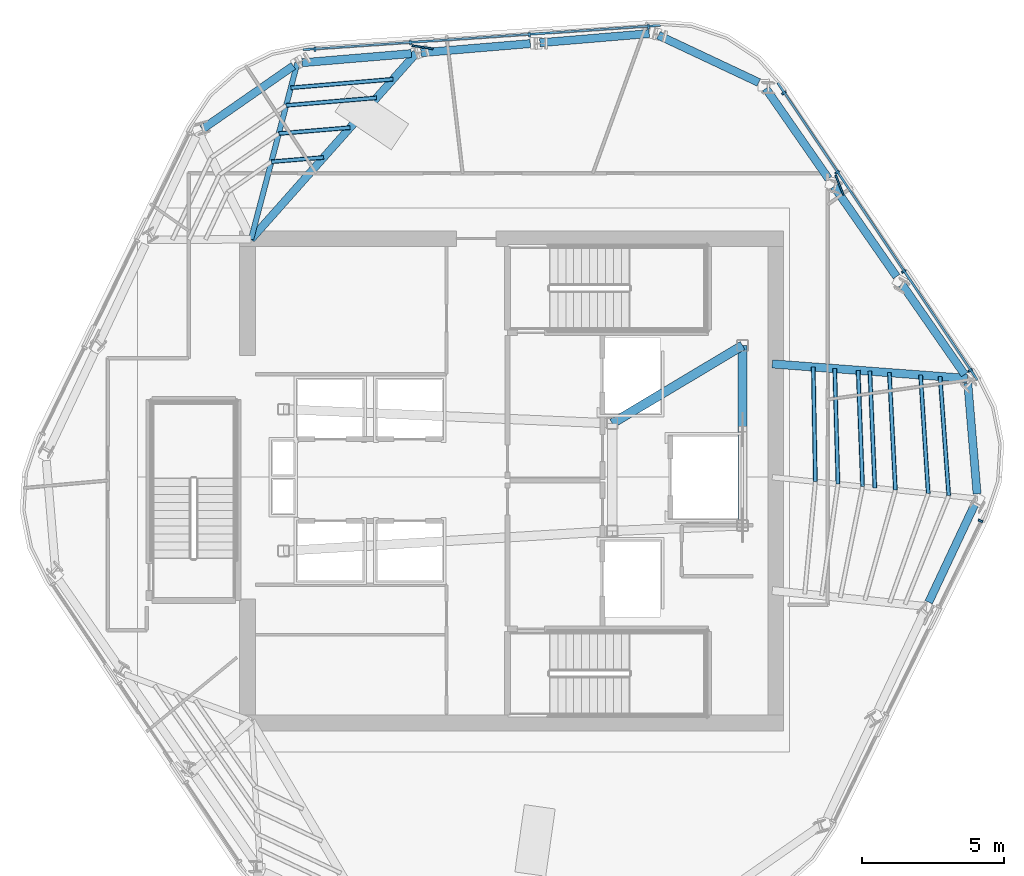
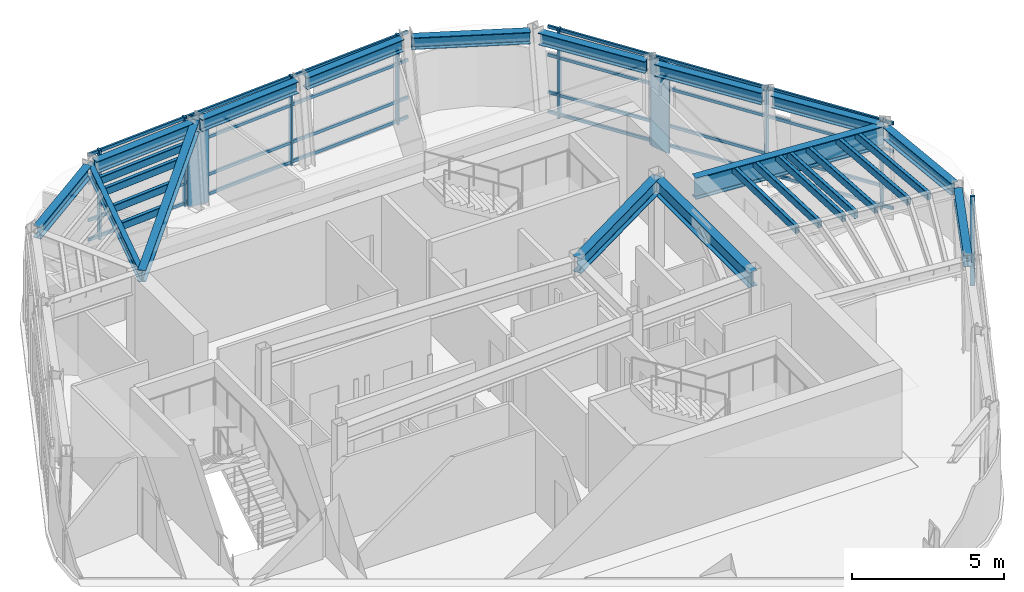
# One storey, part 4 of 14: 30 members, 15 beams, 3 elements without a shape of their own.
"""IFC4 building model written with IfcOpenShell, lengths in metres."""

from ifc_helpers import new_model, si_unit, direction, frame, origin, origin_2d, place, context, subcontext, project, spatial, rectangle, hollow_rectangle, i_section, extrude, material, layer, layer_set, material_profile, profile_set, type_object, element, aggregate, save


model = new_model("IFC4")

# Units and contexts
model_context = context("Model", 3, precision=1e-05, world=origin(), true_north=direction((0.0, 1.0)))
body_context = subcontext(model_context, "Body", "Model", "MODEL_VIEW")
ifc_project = project(units=[si_unit("LENGTHUNIT", "METRE"), si_unit("AREAUNIT", "SQUARE_METRE"), si_unit("VOLUMEUNIT", "CUBIC_METRE"), si_unit("PLANEANGLEUNIT", "RADIAN"), si_unit("MASSUNIT", "GRAM", prefix="KILO")], contexts=[model_context])

# Site, building, storey
site_placement = place(None, origin())
site = spatial("IfcSite", under=ifc_project, at=site_placement, CompositionType="ELEMENT")
building_placement = place(site_placement, origin())
building = spatial("IfcBuilding", under=site, at=building_placement, Name="Valkerne Bourse Tower", CompositionType="ELEMENT")
storey_placement = place(building_placement, frame((0.0, 0.0, 300.199951171875)))
storey = spatial("IfcBuildingStorey", under=building, at=storey_placement, Name="L76", CompositionType="ELEMENT", Elevation=300.199951171875)

# Beams
ifc_material_1 = material(Name="Steel ASTM A992", Category="steel")
ifc_material_profile_1 = material_profile(ifc_material_1, i_section(OverallWidth=0.284423828125, OverallDepth=0.47509765625, WebThickness=0.014892578125, FlangeThickness=0.02392578125, FilletRadius=0.017822265625, at=origin_2d()), Name="W18X106")
ifc_profile_set_1 = profile_set([ifc_material_profile_1], Name="Steel ASTM A992")
beam_type_1 = type_object("IfcBeamType", Name="BM-W18X106", PredefinedType="BEAM", material=ifc_profile_set_1)
for number, where, z_axis, x_axis, name in (
    (1, (51.654541015625, 42.659912109375, 3.362548828125), (-0.996493379522, -0.083671647344, 0.0), (0.083671647344, -0.996493379522, 0.0), "L76 Hexagonal Spandrel Ring Beam 00"),
    (2, (47.45751953125, 42.3076171875, 3.362548828125), (-0.996488120314, -0.083734258655, 0.0), (0.083734258655, -0.996488120314, 0.0), "L76 Hexagonal Spandrel Ring Beam 01"),
    (3, (43.26025390625, 41.955078125, 3.362548828125), (-0.996493379522, -0.083671647344, 0.0), (0.083671647344, -0.996493379522, 0.0), "L76 Hexagonal Spandrel Ring Beam 02"),
):
    element("IfcBeam", number, at=place(storey_placement, frame(where, z_axis=z_axis, x_axis=x_axis)), inside=storey, type_object=beam_type_1, Name=name, PredefinedType="BEAM", context=body_context, shape_type="SweptSolid", body=[
        extrude(i_section(OverallWidth=0.284423828125, OverallDepth=0.47509765625, WebThickness=0.014892578125, FlangeThickness=0.02392578125, FilletRadius=0.017822265625, at=origin_2d()), origin(), (0.0, 0.0, 1.0), 3.8720703125),
    ])
beam_1_placement = place(storey_placement, frame((39.0927734375, 41.519775390625, 3.362548828125), z_axis=(-0.821131339771, -0.570739277469, 0.0), x_axis=(0.570739277469, -0.821131339771, 0.0)))
element("IfcBeam", 4, at=beam_1_placement, inside=storey, type_object=beam_type_1, Name="L76 Hexagonal Spandrel Ring Beam 03", PredefinedType="BEAM", context=body_context, shape_type="SweptSolid", body=[
    extrude(i_section(OverallWidth=0.284423828125, OverallDepth=0.47509765625, WebThickness=0.014892578125, FlangeThickness=0.02392578125, FilletRadius=0.017822265625, at=origin_2d()), origin(), (0.0, 0.0, 1.0), 3.915771484375),
])
beam_2_placement = place(storey_placement, frame((61.521240234375, 22.588134765625, 3.362548828125), z_axis=(0.425800072897, 0.904817273222, 0.0), x_axis=(-0.904817273222, 0.425800072897, 0.0)))
element("IfcBeam", 5, at=beam_2_placement, inside=storey, type_object=beam_type_1, Name="L76 Hexagonal Spandrel Ring Beam 18", PredefinedType="BEAM", context=body_context, shape_type="SweptSolid", body=[
    extrude(i_section(OverallWidth=0.284423828125, OverallDepth=0.47509765625, WebThickness=0.014892578125, FlangeThickness=0.02392578125, FilletRadius=0.017822265625, at=origin_2d()), origin(), (0.0, 0.0, 1.0), 3.8720703125),
])
beam_3_placement = place(storey_placement, frame((63.22802734375, 26.414794921875, 3.362548828125), z_axis=(-0.083674993012, 0.996493098594, 0.0), x_axis=(-0.996493098594, -0.083674993012, 0.0)))
element("IfcBeam", 6, at=beam_3_placement, inside=storey, type_object=beam_type_1, Name="L76 Hexagonal Spandrel Ring Beam 19", PredefinedType="BEAM", context=body_context, shape_type="SweptSolid", body=[
    extrude(i_section(OverallWidth=0.284423828125, OverallDepth=0.47509765625, WebThickness=0.014892578125, FlangeThickness=0.02392578125, FilletRadius=0.017822265625, at=origin_2d()), origin(), (0.0, 0.0, 1.0), 3.91552734375),
])
for number, where, z_axis, x_axis, name in (
    (7, (62.789306640625, 30.625732421875, 3.362548828125), (-0.570746695472, 0.821126183731, 0.0), (-0.821126183731, -0.570746695472, 0.0), "L76 Hexagonal Spandrel Ring Beam 20"),
    (8, (60.385498046875, 34.08447265625, 3.362548828125), (-0.570746695472, 0.821126183731, 0.0), (-0.821126183731, -0.570746695472, 0.0), "L76 Hexagonal Spandrel Ring Beam 21"),
):
    element("IfcBeam", number, at=place(storey_placement, frame(where, z_axis=z_axis, x_axis=x_axis)), inside=storey, type_object=beam_type_1, Name=name, PredefinedType="BEAM", context=body_context, shape_type="SweptSolid", body=[
        extrude(i_section(OverallWidth=0.284423828125, OverallDepth=0.47509765625, WebThickness=0.014892578125, FlangeThickness=0.02392578125, FilletRadius=0.017822265625, at=origin_2d()), origin(), (0.0, 0.0, 1.0), 3.8720703125),
    ])
beam_4_placement = place(storey_placement, frame((57.9814453125, 37.543212890625, 3.362548828125), z_axis=(-0.570704180479, 0.821155733332, 0.0), x_axis=(-0.821155733332, -0.570704180479, 0.0)))
element("IfcBeam", 9, at=beam_4_placement, inside=storey, type_object=beam_type_1, Name="L76 Hexagonal Spandrel Ring Beam 22", PredefinedType="BEAM", context=body_context, shape_type="SweptSolid", body=[
    extrude(i_section(OverallWidth=0.284423828125, OverallDepth=0.47509765625, WebThickness=0.014892578125, FlangeThickness=0.02392578125, FilletRadius=0.017822265625, at=origin_2d()), origin(), (0.0, 0.0, 1.0), 3.871826171875),
])
beam_5_placement = place(storey_placement, frame((55.52099609375, 40.9345703125, 3.362548828125), z_axis=(-0.90483424406, 0.425764008316, 0.0), x_axis=(-0.425764008316, -0.90483424406, 0.0)))
element("IfcBeam", 10, at=beam_5_placement, inside=storey, type_object=beam_type_1, Name="L76 Hexagonal Spandrel Ring Beam 23", PredefinedType="BEAM", context=body_context, shape_type="SweptSolid", body=[
    extrude(i_section(OverallWidth=0.284423828125, OverallDepth=0.47509765625, WebThickness=0.014892578125, FlangeThickness=0.02392578125, FilletRadius=0.017822265625, at=origin_2d()), origin(), (0.0, 0.0, 1.0), 3.915771484375),
])
ifc_material_profile_2 = material_profile(ifc_material_1, i_section(OverallWidth=0.1904296875, OverallDepth=0.457275390625, WebThickness=0.009033203125, FlangeThickness=0.014404296875, FilletRadius=0.01513671875, at=origin_2d()), Name="W18X50")
ifc_profile_set_2 = profile_set([ifc_material_profile_2], Name="Steel ASTM A992")
beam_type_2 = type_object("IfcBeamType", Name="BM-W18X50", PredefinedType="JOIST", material=ifc_profile_set_2)
beam_6_placement = place(storey_placement, frame((39.232421875, 41.61669921875, 3.371337890625), z_axis=(-0.253958537488, -0.967215105981, 0.0), x_axis=(0.967215105981, -0.253958537488, 0.0)))
element("IfcBeam", 11, at=beam_6_placement, inside=storey, type_object=beam_type_2, Name="L76 Radial Composite Floor Beam 03", PredefinedType="JOIST", context=body_context, shape_type="SweptSolid", body=[
    extrude(i_section(OverallWidth=0.1904296875, OverallDepth=0.457275390625, WebThickness=0.009033203125, FlangeThickness=0.014404296875, FilletRadius=0.01513671875, at=origin_2d()), origin(), (0.0, 0.0, 1.0), 6.427490234375),
])
ifc_material_profile_3 = material_profile(ifc_material_1, i_section(OverallWidth=0.279296875, OverallDepth=0.46240234375, WebThickness=0.0107421875, FlangeThickness=0.017333984375, FilletRadius=0.017822265625, at=origin_2d()), Name="W18X76")
ifc_profile_set_3 = profile_set([ifc_material_profile_3], Name="Steel ASTM A992")
beam_type_3 = type_object("IfcBeamType", Name="BM-W18X76", PredefinedType="BEAM", material=ifc_profile_set_3)
beam_7_placement = place(storey_placement, frame((43.4296875, 41.96923828125, 3.368896484375), z_axis=(-0.663739034895, -0.747964232806, 0.0), x_axis=(0.747964232806, -0.663739034895, 0.0)))
element("IfcBeam", 12, at=beam_7_placement, inside=storey, type_object=beam_type_3, Name="L76 Radial Composite Floor Beam 02", PredefinedType="BEAM", context=body_context, shape_type="SweptSolid", body=[
    extrude(i_section(OverallWidth=0.279296875, OverallDepth=0.46240234375, WebThickness=0.0107421875, FlangeThickness=0.017333984375, FilletRadius=0.017822265625, at=origin_2d()), origin(), (0.0, 0.0, 1.0), 8.782958984375),
])
ifc_material_profile_4 = material_profile(ifc_material_1, i_section(OverallWidth=0.3251953125, OverallDepth=0.612060546875, WebThickness=0.0126953125, FlangeThickness=0.01904296875, FilletRadius=0.020263671875, at=origin_2d()), Name="W24X104")
ifc_profile_set_4 = profile_set([ifc_material_profile_4], Name="Steel ASTM A992")
beam_type_4 = type_object("IfcBeamType", Name="BM-W24X104", PredefinedType="BEAM", material=ifc_profile_set_4)
beam_8_placement = place(storey_placement, frame((50.35009765625, 28.89990234375, 3.2939453125), z_axis=(0.858307823492, 0.513135148019, 0.0), x_axis=(-0.513135148019, 0.858307823492, 0.0)))
element("IfcBeam", 13, at=beam_8_placement, inside=storey, type_object=beam_type_4, Name="L76 Core Frame Girder CG-NE", PredefinedType="BEAM", context=body_context, shape_type="SweptSolid", body=[
    extrude(i_section(OverallWidth=0.3251953125, OverallDepth=0.612060546875, WebThickness=0.0126953125, FlangeThickness=0.01904296875, FilletRadius=0.020263671875, at=origin_2d()), origin(), (0.0, 0.0, 1.0), 5.359130859375),
])
beam_9_placement = place(storey_placement, frame((54.949951171875, 25.300048828125, 3.2939453125), z_axis=(0.0, 1.0, 0.0), x_axis=(-1.0, 0.0, 0.0)))
element("IfcBeam", 14, at=beam_9_placement, inside=storey, type_object=beam_type_4, Name="L76 Core Frame Girder CG-EE", PredefinedType="BEAM", context=body_context, shape_type="SweptSolid", body=[
    extrude(i_section(OverallWidth=0.3251953125, OverallDepth=0.612060546875, WebThickness=0.0126953125, FlangeThickness=0.01904296875, FilletRadius=0.020263671875, at=origin_2d()), origin(), (0.0, 0.0, 1.0), 6.349853515625),
])
ifc_material_profile_5 = material_profile(ifc_material_1, i_section(OverallWidth=0.2919921875, OverallDepth=0.8583984375, WebThickness=0.01708984375, FlangeThickness=0.031005859375, FilletRadius=0.025390625, at=origin_2d()), Name="W33X169")
ifc_profile_set_5 = profile_set([ifc_material_profile_5], Name="Steel ASTM A992")
beam_type_5 = type_object("IfcBeamType", Name="BM-W33X169", PredefinedType="BEAM", material=ifc_profile_set_5)
beam_10_placement = place(storey_placement, frame((62.88623046875, 30.486083984375, 3.170654296875), z_axis=(-0.997226796798, 0.074422548651, 0.0), x_axis=(-0.074422548651, -0.997226796798, 0.0)))
element("IfcBeam", 15, at=beam_10_placement, inside=storey, type_object=beam_type_5, Name="L76 Radial Composite Floor Beam 20", PredefinedType="BEAM", context=body_context, shape_type="SweptSolid", body=[
    extrude(i_section(OverallWidth=0.2919921875, OverallDepth=0.8583984375, WebThickness=0.01708984375, FlangeThickness=0.031005859375, FilletRadius=0.025390625, at=origin_2d()), origin(), (0.0, 0.0, 1.0), 6.9052734375),
])

# Curtain wall, members
ifc_material_2 = material(Name="Aluminium AA 6063-T6", Category="aluminium")
ifc_layer = layer(ifc_material_2, 0.2451171875)
ifc_layer_set = layer_set([ifc_layer], Name="Aluminium AA 6063-T6")
curtain_wall_type = type_object("IfcCurtainWallType", Name="CW-05", PredefinedType="NOTDEFINED", material=ifc_layer_set)
curtain_wall_1_placement = place(storey_placement, origin())
curtain_wall_1 = element("IfcCurtainWall", 16, at=curtain_wall_1_placement, inside=storey, type_object=curtain_wall_type, Name="L76 Hexagonal Stick Curtain Wall Face 1", PredefinedType="NOTDEFINED")
ifc_material_profile_6 = material_profile(ifc_material_2, rectangle(XDim=0.074951171875, YDim=0.159912109375, at=origin_2d()), Name="CWM-75X160")
ifc_profile_set_6 = profile_set([ifc_material_profile_6], Name="Aluminium AA 6063-T6")
member_type_1 = type_object("IfcMemberType", Name="CW-MUL-160X75", PredefinedType="MULLION", material=ifc_profile_set_6)
member_1_placement = place(storey_placement, frame((51.62744140625, 42.90380859375, 0.0), z_axis=(0.0, 0.0, 1.0), x_axis=(-0.997683912396, -0.068020665584, 0.0)))
member_1 = element("IfcMember", 17, at=member_1_placement, type_object=member_type_1, Name="CW-L76-F1 Jamb Mullion 00A", PredefinedType="MULLION", context=body_context, shape_type="SweptSolid", body=[
    extrude(rectangle(XDim=0.074951171875, YDim=0.159912109375, at=origin_2d()), origin(), (0.0, 0.0, 1.0), 3.60009765625),
])
member_2_placement = place(storey_placement, frame((47.42529296875, 42.617431640625, 0.0), z_axis=(0.0, 0.0, 1.0), x_axis=(-0.997684022241, -0.068019054423, 0.0)))
member_2 = element("IfcMember", 18, at=member_2_placement, type_object=member_type_1, Name="CW-L76-F1 Jamb Mullion 01A", PredefinedType="MULLION", context=body_context, shape_type="SweptSolid", body=[
    extrude(rectangle(XDim=0.074951171875, YDim=0.159912109375, at=origin_2d()), origin(), (0.0, 0.0, 1.0), 3.60009765625),
])
member_3_placement = place(storey_placement, frame((43.222900390625, 42.330810546875, 0.0), z_axis=(0.0, 0.0, 1.0), x_axis=(-0.997683912396, -0.068020665584, 0.0)))
member_3 = element("IfcMember", 19, at=member_3_placement, type_object=member_type_1, Name="CW-L76-F1 Jamb Mullion 02A", PredefinedType="MULLION", context=body_context, shape_type="SweptSolid", body=[
    extrude(rectangle(XDim=0.074951171875, YDim=0.159912109375, at=origin_2d()), origin(), (0.0, 0.0, 1.0), 3.60009765625),
])
member_4_placement = place(storey_placement, frame((39.85888671875, 42.1015625, 0.0), z_axis=(0.0, 0.0, 1.0), x_axis=(-0.997683912396, -0.068020665584, 0.0)))
member_4 = element("IfcMember", 20, at=member_4_placement, type_object=member_type_1, Name="CW-L76-F1 Jamb Mullion 02B", PredefinedType="MULLION", context=body_context, shape_type="SweptSolid", body=[
    extrude(rectangle(XDim=0.074951171875, YDim=0.159912109375, at=origin_2d()), origin(), (0.0, 0.0, 1.0), 3.60009765625),
])

# Curtain wall, member
curtain_wall_2_placement = place(storey_placement, origin())
curtain_wall_2 = element("IfcCurtainWall", 21, at=curtain_wall_2_placement, inside=storey, type_object=curtain_wall_type, Name="L76 Hexagonal Stick Curtain Wall Face 5", PredefinedType="NOTDEFINED")
member_5_placement = place(storey_placement, frame((63.34912109375, 25.46044921875, 0.0), z_axis=(0.0, 0.0, 1.0), x_axis=(0.439933879731, 0.898030167347, 0.0)))
member_5 = element("IfcMember", 22, at=member_5_placement, type_object=member_type_1, Name="CW-L76-F5 Jamb Mullion 02B", PredefinedType="MULLION", context=body_context, shape_type="SweptSolid", body=[
    extrude(rectangle(XDim=0.074951171875, YDim=0.159912109375, at=origin_2d()), origin(), (0.0, 0.0, 1.0), 3.60009765625),
])
aggregate(curtain_wall_2, [member_5])

# Curtain wall, members
curtain_wall_3_placement = place(storey_placement, origin())
curtain_wall_3 = element("IfcCurtainWall", 23, at=curtain_wall_3_placement, inside=storey, type_object=curtain_wall_type, Name="L76 Hexagonal Stick Curtain Wall Face 6", PredefinedType="NOTDEFINED")
member_6_placement = place(storey_placement, frame((62.987060546875, 30.771240234375, 0.0), z_axis=(0.0, 0.0, 1.0), x_axis=(-0.557742736213, 0.830013879523, 0.0)))
member_6 = element("IfcMember", 24, at=member_6_placement, type_object=member_type_1, Name="CW-L76-F6 Jamb Mullion 00A", PredefinedType="MULLION", context=body_context, shape_type="SweptSolid", body=[
    extrude(rectangle(XDim=0.074951171875, YDim=0.159912109375, at=origin_2d()), origin(), (0.0, 0.0, 1.0), 3.60009765625),
])
member_7_placement = place(storey_placement, frame((60.6376953125, 34.26708984375, 0.0), z_axis=(0.0, 0.0, 1.0), x_axis=(-0.557759092161, 0.830002888617, 0.0)))
member_7 = element("IfcMember", 25, at=member_7_placement, type_object=member_type_1, Name="CW-L76-F6 Jamb Mullion 01A", PredefinedType="MULLION", context=body_context, shape_type="SweptSolid", body=[
    extrude(rectangle(XDim=0.074951171875, YDim=0.159912109375, at=origin_2d()), origin(), (0.0, 0.0, 1.0), 3.60009765625),
])
member_8_placement = place(storey_placement, frame((58.28857421875, 37.76318359375, 0.0), z_axis=(0.0, 0.0, 1.0), x_axis=(-0.557742736213, 0.830013879523, 0.0)))
member_8 = element("IfcMember", 26, at=member_8_placement, type_object=member_type_1, Name="CW-L76-F6 Jamb Mullion 02A", PredefinedType="MULLION", context=body_context, shape_type="SweptSolid", body=[
    extrude(rectangle(XDim=0.074951171875, YDim=0.159912109375, at=origin_2d()), origin(), (0.0, 0.0, 1.0), 3.60009765625),
])
member_9_placement = place(storey_placement, frame((56.40771484375, 40.56201171875, 0.0), z_axis=(0.0, 0.0, 1.0), x_axis=(-0.557742736213, 0.830013879523, 0.0)))
member_9 = element("IfcMember", 27, at=member_9_placement, type_object=member_type_1, Name="CW-L76-F6 Jamb Mullion 02B", PredefinedType="MULLION", context=body_context, shape_type="SweptSolid", body=[
    extrude(rectangle(XDim=0.074951171875, YDim=0.159912109375, at=origin_2d()), origin(), (0.0, 0.0, 1.0), 3.60009765625),
])

# Member
ifc_material_profile_7 = material_profile(ifc_material_2, rectangle(XDim=0.074951171875, YDim=0.1201171875, at=origin_2d()), Name="CWT-75X120")
ifc_profile_set_7 = profile_set([ifc_material_profile_7], Name="Aluminium AA 6063-T6")
member_type_2 = type_object("IfcMemberType", Name="CW-TRN-120X75", PredefinedType="USERDEFINED", material=ifc_profile_set_7)
member_10_placement = place(storey_placement, frame((52.045166015625, 42.952392578125, 0.1201171875), z_axis=(-0.997684616427, -0.068010338514, 0.0), x_axis=(0.068010338514, -0.997684616427, 0.0)))
member_10 = element("IfcMember", 28, at=member_10_placement, type_object=member_type_2, Name="CW-L76-F1 Continuous Face Transom 1", ObjectType="TRANSOM", PredefinedType="USERDEFINED", context=body_context, shape_type="SweptSolid", body=[
    extrude(rectangle(XDim=0.074951171875, YDim=0.1201171875, at=origin_2d()), origin(), (0.0, 0.0, 1.0), 12.635986328125),
])

member_11_placement = place(storey_placement, frame((52.045166015625, 42.952392578125, 0.900146484375), z_axis=(-0.997684616427, -0.068010338514, 0.0), x_axis=(0.068010338514, -0.997684616427, 0.0)))
member_11 = element("IfcMember", 29, at=member_11_placement, type_object=member_type_2, Name="CW-L76-F1 Continuous Face Transom 2", ObjectType="TRANSOM", PredefinedType="USERDEFINED", context=body_context, shape_type="SweptSolid", body=[
    extrude(rectangle(XDim=0.074951171875, YDim=0.1201171875, at=origin_2d()), origin(), (0.0, 0.0, 1.0), 12.635986328125),
])

member_12_placement = place(storey_placement, frame((52.045166015625, 42.952392578125, 2.400146484375), z_axis=(-0.997684616427, -0.068010338514, 0.0), x_axis=(0.068010338514, -0.997684616427, 0.0)))
member_12 = element("IfcMember", 30, at=member_12_placement, type_object=member_type_2, Name="CW-L76-F1 Continuous Face Transom 3", ObjectType="TRANSOM", PredefinedType="USERDEFINED", context=body_context, shape_type="SweptSolid", body=[
    extrude(rectangle(XDim=0.074951171875, YDim=0.1201171875, at=origin_2d()), origin(), (0.0, 0.0, 1.0), 12.635986328125),
])

member_13_placement = place(storey_placement, frame((52.045166015625, 42.952392578125, 3.52001953125), z_axis=(-0.997684616427, -0.068010338514, 0.0), x_axis=(0.068010338514, -0.997684616427, 0.0)))
member_13 = element("IfcMember", 31, at=member_13_placement, type_object=member_type_2, Name="CW-L76-F1 Continuous Face Transom 4", ObjectType="TRANSOM", PredefinedType="USERDEFINED", context=body_context, shape_type="SweptSolid", body=[
    extrude(rectangle(XDim=0.074951171875, YDim=0.1201171875, at=origin_2d()), origin(), (0.0, 0.0, 1.0), 12.635986328125),
])

aggregate(curtain_wall_1, [member_10, member_11, member_12, member_13, member_1, member_2, member_3, member_4])

member_14_placement = place(storey_placement, frame((63.23779296875, 30.433837890625, 0.1201171875), z_axis=(-0.557741781307, 0.830014521189, 0.0), x_axis=(-0.830014521189, -0.557741781307, 0.0)))
member_14 = element("IfcMember", 32, at=member_14_placement, type_object=member_type_2, Name="CW-L76-F6 Continuous Face Transom 1", ObjectType="TRANSOM", PredefinedType="USERDEFINED", context=body_context, shape_type="SweptSolid", body=[
    extrude(rectangle(XDim=0.074951171875, YDim=0.1201171875, at=origin_2d()), origin(), (0.0, 0.0, 1.0), 12.635986328125),
])

member_15_placement = place(storey_placement, frame((63.23779296875, 30.433837890625, 0.900146484375), z_axis=(-0.557741781307, 0.830014521189, 0.0), x_axis=(-0.830014521189, -0.557741781307, 0.0)))
member_15 = element("IfcMember", 33, at=member_15_placement, type_object=member_type_2, Name="CW-L76-F6 Continuous Face Transom 2", ObjectType="TRANSOM", PredefinedType="USERDEFINED", context=body_context, shape_type="SweptSolid", body=[
    extrude(rectangle(XDim=0.074951171875, YDim=0.1201171875, at=origin_2d()), origin(), (0.0, 0.0, 1.0), 12.635986328125),
])

member_16_placement = place(storey_placement, frame((63.23779296875, 30.433837890625, 2.400146484375), z_axis=(-0.557741781307, 0.830014521189, 0.0), x_axis=(-0.830014521189, -0.557741781307, 0.0)))
member_16 = element("IfcMember", 34, at=member_16_placement, type_object=member_type_2, Name="CW-L76-F6 Continuous Face Transom 3", ObjectType="TRANSOM", PredefinedType="USERDEFINED", context=body_context, shape_type="SweptSolid", body=[
    extrude(rectangle(XDim=0.074951171875, YDim=0.1201171875, at=origin_2d()), origin(), (0.0, 0.0, 1.0), 12.635986328125),
])

member_17_placement = place(storey_placement, frame((63.23779296875, 30.433837890625, 3.52001953125), z_axis=(-0.557741781307, 0.830014521189, 0.0), x_axis=(-0.830014521189, -0.557741781307, 0.0)))
member_17 = element("IfcMember", 35, at=member_17_placement, type_object=member_type_2, Name="CW-L76-F6 Continuous Face Transom 4", ObjectType="TRANSOM", PredefinedType="USERDEFINED", context=body_context, shape_type="SweptSolid", body=[
    extrude(rectangle(XDim=0.074951171875, YDim=0.1201171875, at=origin_2d()), origin(), (0.0, 0.0, 1.0), 12.635986328125),
])

aggregate(curtain_wall_3, [member_14, member_15, member_16, member_17, member_6, member_7, member_8, member_9])

# Members
ifc_material_3 = material(Name="Bronze Anodised Aluminium AA 6063-T6", Category="aluminium")
ifc_material_profile_8 = material_profile(ifc_material_3, rectangle(XDim=0.06494140625, YDim=0.75, at=origin_2d()), Name="FIN-65X750")
ifc_profile_set_8 = profile_set([ifc_material_profile_8], Name="Bronze Anodised Aluminium AA 6063-T6")
member_type_3 = type_object("IfcMemberType", Name="FIN-SOLAR-650", PredefinedType="USERDEFINED", material=ifc_profile_set_8)
for number, where, z_axis, x_axis, name in (
    (36, (43.654296875, 42.179931640625, 0.004150390625), (0.0, 0.0, 1.0), (0.147332540195, 0.989087014675, 0.0), "L76 Bronze Anodised Solar Fin F1-02"),
    (37, (58.373291015625, 37.314208984375, 0.004150390625), (0.0, 0.0, 1.0), (0.926921117713, 0.375256234509, 0.0), "L76 Bronze Anodised Solar Fin F6-02"),
):
    element("IfcMember", number, at=place(storey_placement, frame(where, z_axis=z_axis, x_axis=x_axis)), inside=storey, type_object=member_type_3, Name=name, ObjectType="SOLAR_FIN", PredefinedType="USERDEFINED", context=body_context, shape_type="SweptSolid", body=[
        extrude(rectangle(XDim=0.06494140625, YDim=0.75, at=origin_2d()), origin(), (0.0, 0.0, 1.0), 3.591796875),
    ])
ifc_material_4 = material(Name="Steel ASTM A500 Grade C", Category="steel")
ifc_material_profile_9 = material_profile(ifc_material_4, hollow_rectangle(XDim=0.14990234375, YDim=0.300048828125, WallThickness=0.012451171875, OuterFilletRadius=0.02490234375, at=origin_2d()), Name="HSS300X150X12.5")
ifc_profile_set_9 = profile_set([ifc_material_profile_9], Name="Steel ASTM A500 Grade C")
member_type_4 = type_object("IfcMemberType", Name="MBR-HSS300X150X12.5", PredefinedType="PURLIN", material=ifc_profile_set_9)
member_18_placement = place(storey_placement, frame((58.3173828125, 26.758544921875, 3.43994140625), z_axis=(-0.027893334242, 0.999610905255, 0.0), x_axis=(-0.999610905255, -0.027893334242, 0.0)))
element("IfcMember", 38, at=member_18_placement, inside=storey, type_object=member_type_4, Name="L76 Secondary Composite Floor Purlin I-19", PredefinedType="PURLIN", context=body_context, shape_type="SweptSolid", body=[
    extrude(hollow_rectangle(XDim=0.14990234375, YDim=0.300048828125, WallThickness=0.012451171875, OuterFilletRadius=0.02490234375, at=origin_2d()), origin(), (0.0, 0.0, 1.0), 4.078857421875),
])
member_19_placement = place(storey_placement, frame((40.1650390625, 38.290283203125, 3.43994140625), z_axis=(-0.996505665526, -0.083525197243, 0.0), x_axis=(0.083525197243, -0.996505665526, 0.0)))
element("IfcMember", 39, at=member_19_placement, inside=storey, type_object=member_type_4, Name="L76 Secondary Composite Floor Purlin K-02", PredefinedType="PURLIN", context=body_context, shape_type="SweptSolid", body=[
    extrude(hollow_rectangle(XDim=0.14990234375, YDim=0.300048828125, WallThickness=0.012451171875, OuterFilletRadius=0.02490234375, at=origin_2d()), origin(), (0.0, 0.0, 1.0), 1.853271484375),
])
member_20_placement = place(storey_placement, frame((59.1865234375, 26.66796875, 3.43994140625), z_axis=(-0.038145602749, 0.999272191643, 0.0), x_axis=(-0.999272191643, -0.038145602749, 0.0)))
element("IfcMember", 40, at=member_20_placement, inside=storey, type_object=member_type_4, Name="L76 Secondary Composite Floor Purlin K-19", PredefinedType="PURLIN", context=body_context, shape_type="SweptSolid", body=[
    extrude(hollow_rectangle(XDim=0.14990234375, YDim=0.300048828125, WallThickness=0.012451171875, OuterFilletRadius=0.02490234375, at=origin_2d()), origin(), (0.0, 0.0, 1.0), 4.10888671875),
])
member_21_placement = place(storey_placement, frame((59.62109375, 26.622802734375, 3.43994140625), z_axis=(-0.043154640453, 0.999068404569, 0.0), x_axis=(-0.999068404569, -0.043154640453, 0.0)))
element("IfcMember", 41, at=member_21_placement, inside=storey, type_object=member_type_4, Name="L76 Secondary Composite Floor Purlin M-19", PredefinedType="PURLIN", context=body_context, shape_type="SweptSolid", body=[
    extrude(hollow_rectangle(XDim=0.14990234375, YDim=0.300048828125, WallThickness=0.012451171875, OuterFilletRadius=0.02490234375, at=origin_2d()), origin(), (0.0, 0.0, 1.0), 4.124267578125),
])
member_22_placement = place(storey_placement, frame((42.030517578125, 40.392578125, 3.43994140625), z_axis=(-0.996494020859, -0.083664008946, 0.0), x_axis=(0.083664008946, -0.996494020859, 0.0)))
element("IfcMember", 42, at=member_22_placement, inside=storey, type_object=member_type_4, Name="L76 Secondary Composite Floor Purlin O-02", PredefinedType="PURLIN", context=body_context, shape_type="SweptSolid", body=[
    extrude(hollow_rectangle(XDim=0.14990234375, YDim=0.300048828125, WallThickness=0.012451171875, OuterFilletRadius=0.02490234375, at=origin_2d()), origin(), (0.0, 0.0, 1.0), 3.201171875),
])
member_23_placement = place(storey_placement, frame((61.504150390625, 26.426513671875, 3.43994140625), z_axis=(-0.064593708934, 0.997911645771, 0.0), x_axis=(-0.997911645771, -0.064593708934, 0.0)))
element("IfcMember", 43, at=member_23_placement, inside=storey, type_object=member_type_4, Name="L76 Secondary Composite Floor Purlin O-19", PredefinedType="PURLIN", context=body_context, shape_type="SweptSolid", body=[
    extrude(hollow_rectangle(XDim=0.14990234375, YDim=0.300048828125, WallThickness=0.012451171875, OuterFilletRadius=0.02490234375, at=origin_2d()), origin(), (0.0, 0.0, 1.0), 4.191650390625),
])
member_24_placement = place(storey_placement, frame((41.097900390625, 39.341552734375, 3.43994140625), z_axis=(-0.996494942873, -0.083653026418, 0.0), x_axis=(0.083653026418, -0.996494942873, 0.0)))
element("IfcMember", 44, at=member_24_placement, inside=storey, type_object=member_type_4, Name="L76 Secondary Composite Floor Purlin Z-02", PredefinedType="PURLIN", context=body_context, shape_type="SweptSolid", body=[
    extrude(hollow_rectangle(XDim=0.14990234375, YDim=0.300048828125, WallThickness=0.012451171875, OuterFilletRadius=0.02490234375, at=origin_2d()), origin(), (0.0, 0.0, 1.0), 2.52734375),
])
member_25_placement = place(storey_placement, frame((60.345458984375, 26.547119140625, 3.43994140625), z_axis=(-0.051533695837, 0.998671256317, 0.0), x_axis=(-0.998671256317, -0.051533695837, 0.0)))
element("IfcMember", 45, at=member_25_placement, inside=storey, type_object=member_type_4, Name="L76 Secondary Composite Floor Purlin Z-19", PredefinedType="PURLIN", context=body_context, shape_type="SweptSolid", body=[
    extrude(hollow_rectangle(XDim=0.14990234375, YDim=0.300048828125, WallThickness=0.012451171875, OuterFilletRadius=0.02490234375, at=origin_2d()), origin(), (0.0, 0.0, 1.0), 4.150146484375),
])
member_26_placement = place(storey_placement, frame((57.52099609375, 26.841552734375, 3.43994140625), z_axis=(-0.01850084114, 0.999828844792, 0.0), x_axis=(-0.999828844792, -0.01850084114, 0.0)))
element("IfcMember", 46, at=member_26_placement, inside=storey, type_object=member_type_4, Name="L76 Secondary Composite Floor Purlin S-19", PredefinedType="PURLIN", context=body_context, shape_type="SweptSolid", body=[
    extrude(hollow_rectangle(XDim=0.14990234375, YDim=0.300048828125, WallThickness=0.012451171875, OuterFilletRadius=0.02490234375, at=origin_2d()), origin(), (0.0, 0.0, 1.0), 4.05126953125),
])
member_27_placement = place(storey_placement, frame((42.613525390625, 41.049560546875, 3.43994140625), z_axis=(-0.996490223751, -0.083709222719, 0.0), x_axis=(0.083709222719, -0.996490223751, 0.0)))
element("IfcMember", 47, at=member_27_placement, inside=storey, type_object=member_type_4, Name="L76 Secondary Composite Floor Purlin T-02", PredefinedType="PURLIN", context=body_context, shape_type="SweptSolid", body=[
    extrude(hollow_rectangle(XDim=0.14990234375, YDim=0.300048828125, WallThickness=0.012451171875, OuterFilletRadius=0.02490234375, at=origin_2d()), origin(), (0.0, 0.0, 1.0), 3.622314453125),
])
member_28_placement = place(storey_placement, frame((62.228515625, 26.35107421875, 3.43994140625), z_axis=(-0.072637234566, 0.997358427124, 0.0), x_axis=(-0.997358427124, -0.072637234566, 0.0)))
element("IfcMember", 48, at=member_28_placement, inside=storey, type_object=member_type_4, Name="L76 Secondary Composite Floor Purlin T-19", PredefinedType="PURLIN", context=body_context, shape_type="SweptSolid", body=[
    extrude(hollow_rectangle(XDim=0.14990234375, YDim=0.300048828125, WallThickness=0.012451171875, OuterFilletRadius=0.02490234375, at=origin_2d()), origin(), (0.0, 0.0, 1.0), 4.21826171875),
])

save(model, "model.ifc")
